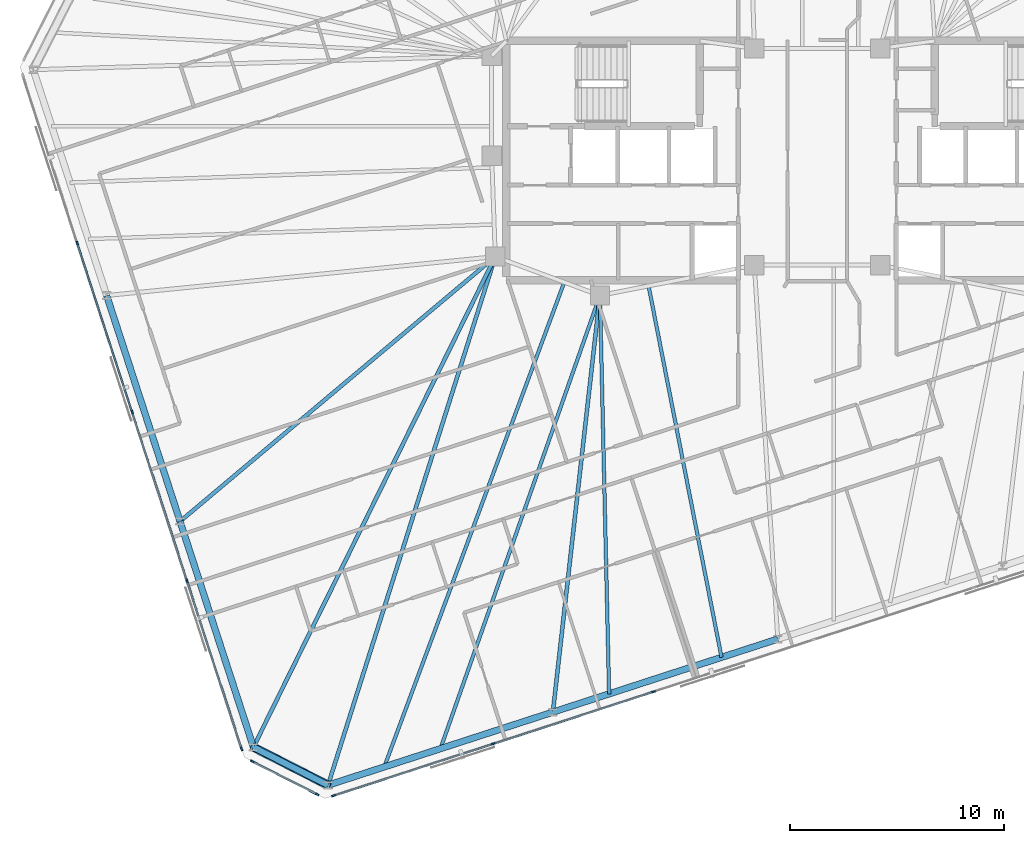
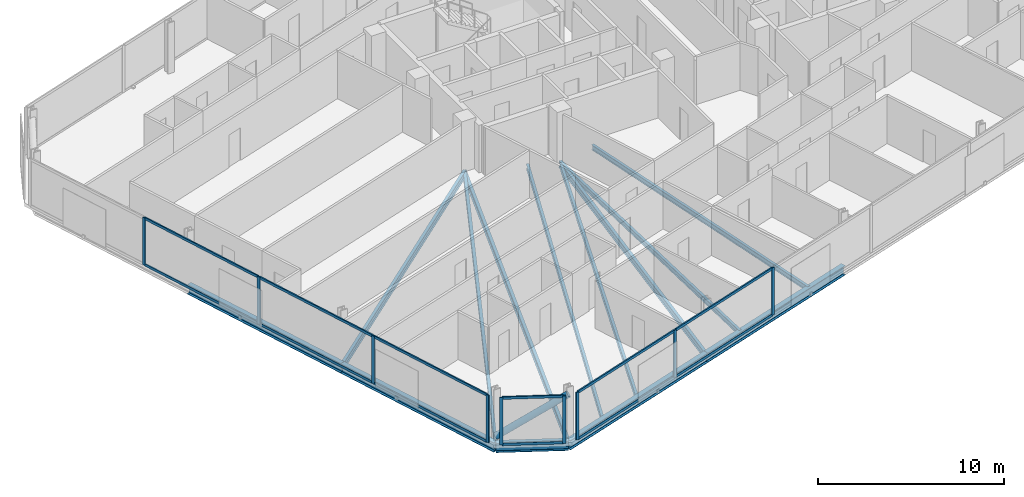
# One storey, part 5 of 20: 22 members, 13 beams, 3 elements without a shape of their own.
"""IFC4 building model written with IfcOpenShell, lengths in metres."""

from ifc_helpers import new_model, si_unit, direction, frame, origin, origin_2d, place, context, subcontext, project, spatial, rectangle, hollow_circle, i_section, extrude, material, material_profile, profile_set, type_object, element, aggregate, save


model = new_model("IFC4")

# Units and contexts
model_context = context("Model", 3, precision=1e-05, world=origin(), true_north=direction((0.0, 1.0)))
body_context = subcontext(model_context, "Body", "Model", "MODEL_VIEW")
ifc_project = project(units=[si_unit("LENGTHUNIT", "METRE"), si_unit("AREAUNIT", "SQUARE_METRE"), si_unit("VOLUMEUNIT", "CUBIC_METRE"), si_unit("PLANEANGLEUNIT", "RADIAN"), si_unit("MASSUNIT", "GRAM", prefix="KILO")], contexts=[model_context])

# Site, building, storey
site_placement = place(None, origin())
site = spatial("IfcSite", under=ifc_project, at=site_placement, CompositionType="ELEMENT")
building_placement = place(site_placement, origin())
building = spatial("IfcBuilding", under=site, at=building_placement, Name="Menara Jurai Vektor", CompositionType="ELEMENT")
storey_placement = place(building_placement, frame((0.0, 0.0, 227.64990234375)))
storey = spatial("IfcBuildingStorey", under=building, at=storey_placement, Name="L60", CompositionType="ELEMENT", Elevation=227.64990234375)

# Curtain wall, members
ifc_material_1 = material(Name="Anodised Pale Aluminium & Low-E Double Glazing", Category="aluminium")
curtain_wall_type = type_object("IfcCurtainWallType", Name="CW-BLK4", PredefinedType="NOTDEFINED", material=ifc_material_1)
curtain_wall_1_placement = place(storey_placement, origin())
curtain_wall_1 = element("IfcCurtainWall", 1, at=curtain_wall_1_placement, inside=storey, type_object=curtain_wall_type, Name="Unitised Curtain Wall L60 F01", PredefinedType="NOTDEFINED")
ifc_material_2 = material(Name="Anodised Pale Aluminium Mullion", Category="aluminium")
ifc_material_profile_1 = material_profile(ifc_material_2, rectangle(XDim=0.080078125, YDim=0.18994140625, at=origin_2d()), Name="ALU MUL 80x190")
ifc_profile_set_1 = profile_set([ifc_material_profile_1], Name="Anodised Pale Aluminium Mullion")
member_type_1 = type_object("IfcMemberType", Name="CW-BLK4-MUL", PredefinedType="MULLION", material=ifc_profile_set_1)
member_1_placement = place(storey_placement, frame((-22.649658203125, -29.743896484375, 0.0), z_axis=(0.0, 0.0, 1.0), x_axis=(-0.309017344167, 0.951056402641, 0.0)))
member_1 = element("IfcMember", 2, at=member_1_placement, type_object=member_type_1, Name="CW-04 mullion 1", PredefinedType="MULLION", context=body_context, shape_type="SweptSolid", body=[
    extrude(rectangle(XDim=0.080078125, YDim=0.18994140625, at=origin_2d()), origin(), (0.0, 0.0, 1.0), 3.125),
])
member_2_placement = place(storey_placement, frame((-15.1826171875, -27.317626953125, 0.0), z_axis=(0.0, 0.0, 1.0), x_axis=(-0.309017344167, 0.951056402641, 0.0)))
member_2 = element("IfcMember", 3, at=member_2_placement, type_object=member_type_1, Name="CW-04 mullion 2", PredefinedType="MULLION", context=body_context, shape_type="SweptSolid", body=[
    extrude(rectangle(XDim=0.080078125, YDim=0.18994140625, at=origin_2d()), origin(), (0.0, 0.0, 1.0), 3.125),
])
member_3_placement = place(storey_placement, frame((-7.677490234375, -24.879150390625, 0.0), z_axis=(0.0, 0.0, 1.0), x_axis=(-0.309017344167, 0.951056402641, 0.0)))
member_3 = element("IfcMember", 4, at=member_3_placement, type_object=member_type_1, Name="CW-04 mullion 3", PredefinedType="MULLION", context=body_context, shape_type="SweptSolid", body=[
    extrude(rectangle(XDim=0.080078125, YDim=0.18994140625, at=origin_2d()), origin(), (0.0, 0.0, 1.0), 3.125),
])

curtain_wall_2_placement = place(storey_placement, origin())
curtain_wall_2 = element("IfcCurtainWall", 5, at=curtain_wall_2_placement, inside=storey, type_object=curtain_wall_type, Name="Unitised Curtain Wall L60 F07", PredefinedType="NOTDEFINED")
member_4_placement = place(storey_placement, frame((-34.650634765625, -3.876220703125, 0.0), z_axis=(0.0, 0.0, 1.0), x_axis=(0.95105668295, 0.309016481464, 0.0)))
member_4 = element("IfcMember", 6, at=member_4_placement, type_object=member_type_1, Name="CW-04 mullion 2", PredefinedType="MULLION", context=body_context, shape_type="SweptSolid", body=[
    extrude(rectangle(XDim=0.080078125, YDim=0.18994140625, at=origin_2d()), origin(), (0.0, 0.0, 1.0), 3.125),
])
member_5_placement = place(storey_placement, frame((-32.082763671875, -11.779541015625, 0.0), z_axis=(0.0, 0.0, 1.0), x_axis=(0.95105668295, 0.309016481464, 0.0)))
member_5 = element("IfcMember", 7, at=member_5_placement, type_object=member_type_1, Name="CW-04 mullion 3", PredefinedType="MULLION", context=body_context, shape_type="SweptSolid", body=[
    extrude(rectangle(XDim=0.080078125, YDim=0.18994140625, at=origin_2d()), origin(), (0.0, 0.0, 1.0), 3.125),
])
member_6_placement = place(storey_placement, frame((-29.514892578125, -19.682861328125, 0.0), z_axis=(0.0, 0.0, 1.0), x_axis=(0.95105668295, 0.309016481464, 0.0)))
member_6 = element("IfcMember", 8, at=member_6_placement, type_object=member_type_1, Name="CW-04 mullion 4", PredefinedType="MULLION", context=body_context, shape_type="SweptSolid", body=[
    extrude(rectangle(XDim=0.080078125, YDim=0.18994140625, at=origin_2d()), origin(), (0.0, 0.0, 1.0), 3.125),
])
member_7_placement = place(storey_placement, frame((-26.959228515625, -27.548095703125, 0.0), z_axis=(0.0, 0.0, 1.0), x_axis=(0.95105668295, 0.309016481464, 0.0)))
member_7 = element("IfcMember", 9, at=member_7_placement, type_object=member_type_1, Name="CW-04 mullion 5", PredefinedType="MULLION", context=body_context, shape_type="SweptSolid", body=[
    extrude(rectangle(XDim=0.080078125, YDim=0.18994140625, at=origin_2d()), origin(), (0.0, 0.0, 1.0), 3.125),
])

curtain_wall_3_placement = place(storey_placement, origin())
curtain_wall_3 = element("IfcCurtainWall", 10, at=curtain_wall_3_placement, inside=storey, type_object=curtain_wall_type, Name="Unitised Curtain Wall L60 F08", PredefinedType="NOTDEFINED")
member_8_placement = place(storey_placement, frame((-26.455322265625, -28.13818359375, 0.0), z_axis=(0.0, 0.0, 1.0), x_axis=(0.453988579828, 0.89100750243, 0.0)))
member_8 = element("IfcMember", 11, at=member_8_placement, type_object=member_type_1, Name="CW-04 mullion 1", PredefinedType="MULLION", context=body_context, shape_type="SweptSolid", body=[
    extrude(rectangle(XDim=0.080078125, YDim=0.18994140625, at=origin_2d()), origin(), (0.0, 0.0, 1.0), 3.125),
])
member_9_placement = place(storey_placement, frame((-23.42333984375, -29.682861328125, 0.0), z_axis=(0.0, 0.0, 1.0), x_axis=(0.453988579828, 0.89100750243, 0.0)))
member_9 = element("IfcMember", 12, at=member_9_placement, type_object=member_type_1, Name="CW-04 mullion 2", PredefinedType="MULLION", context=body_context, shape_type="SweptSolid", body=[
    extrude(rectangle(XDim=0.080078125, YDim=0.18994140625, at=origin_2d()), origin(), (0.0, 0.0, 1.0), 3.125),
])

# Member
ifc_material_3 = material(Name="Anodised Pale Aluminium Transom", Category="aluminium")
ifc_material_profile_2 = material_profile(ifc_material_3, rectangle(XDim=0.080078125, YDim=0.1650390625, at=origin_2d()), Name="ALU TRN 80x165")
ifc_profile_set_2 = profile_set([ifc_material_profile_2], Name="Anodised Pale Aluminium Transom")
member_type_2 = type_object("IfcMemberType", Name="CW-BLK4-TRN", PredefinedType="USERDEFINED", material=ifc_profile_set_2)
member_10_placement = place(storey_placement, frame((-22.61181640625, -29.7314453125, 0.0400390625), z_axis=(0.951062230089, 0.308999408573, 0.0), x_axis=(-0.308999408573, 0.951062230089, 0.0)))
member_10 = element("IfcMember", 13, at=member_10_placement, type_object=member_type_2, Name="CW-04 transom 1.1", ObjectType="TRANSOM", PredefinedType="USERDEFINED", context=body_context, shape_type="SweptSolid", body=[
    extrude(rectangle(XDim=0.080078125, YDim=0.1650390625, at=origin_2d()), origin(), (0.0, 0.0, 1.0), 7.771484375),
])

member_11_placement = place(storey_placement, frame((-22.61181640625, -29.7314453125, 3.085205078125), z_axis=(0.951062230089, 0.308999408573, 0.0), x_axis=(-0.308999408573, 0.951062230089, 0.0)))
member_11 = element("IfcMember", 14, at=member_11_placement, type_object=member_type_2, Name="CW-04 transom 1.2", ObjectType="TRANSOM", PredefinedType="USERDEFINED", context=body_context, shape_type="SweptSolid", body=[
    extrude(rectangle(XDim=0.080078125, YDim=0.1650390625, at=origin_2d()), origin(), (0.0, 0.0, 1.0), 7.771484375),
])

member_12_placement = place(storey_placement, frame((-15.14453125, -27.30517578125, 0.0400390625), z_axis=(0.95105634578, 0.309017519167, 0.0), x_axis=(-0.309017519167, 0.95105634578, 0.0)))
member_12 = element("IfcMember", 15, at=member_12_placement, type_object=member_type_2, Name="CW-04 transom 2.1", ObjectType="TRANSOM", PredefinedType="USERDEFINED", context=body_context, shape_type="SweptSolid", body=[
    extrude(rectangle(XDim=0.080078125, YDim=0.1650390625, at=origin_2d()), origin(), (0.0, 0.0, 1.0), 7.811279296875),
])

member_13_placement = place(storey_placement, frame((-15.14453125, -27.30517578125, 3.085205078125), z_axis=(0.95105634578, 0.309017519167, 0.0), x_axis=(-0.309017519167, 0.95105634578, 0.0)))
member_13 = element("IfcMember", 16, at=member_13_placement, type_object=member_type_2, Name="CW-04 transom 2.2", ObjectType="TRANSOM", PredefinedType="USERDEFINED", context=body_context, shape_type="SweptSolid", body=[
    extrude(rectangle(XDim=0.080078125, YDim=0.1650390625, at=origin_2d()), origin(), (0.0, 0.0, 1.0), 7.811279296875),
])

aggregate(curtain_wall_1, [member_1, member_2, member_3, member_10, member_11, member_12, member_13])

member_14_placement = place(storey_placement, frame((-34.638427734375, -3.914306640625, 0.0400390625), z_axis=(0.309018994408, -0.951055866443, 0.0), x_axis=(0.951055866443, 0.309018994408, 0.0)))
member_14 = element("IfcMember", 17, at=member_14_placement, type_object=member_type_2, Name="CW-04 transom 2.1", ObjectType="TRANSOM", PredefinedType="USERDEFINED", context=body_context, shape_type="SweptSolid", body=[
    extrude(rectangle(XDim=0.080078125, YDim=0.1650390625, at=origin_2d()), origin(), (0.0, 0.0, 1.0), 8.22998046875),
])

member_15_placement = place(storey_placement, frame((-34.638427734375, -3.914306640625, 3.085205078125), z_axis=(0.309018994408, -0.951055866443, 0.0), x_axis=(0.951055866443, 0.309018994408, 0.0)))
member_15 = element("IfcMember", 18, at=member_15_placement, type_object=member_type_2, Name="CW-04 transom 2.2", ObjectType="TRANSOM", PredefinedType="USERDEFINED", context=body_context, shape_type="SweptSolid", body=[
    extrude(rectangle(XDim=0.080078125, YDim=0.1650390625, at=origin_2d()), origin(), (0.0, 0.0, 1.0), 8.22998046875),
])

member_16_placement = place(storey_placement, frame((-32.0703125, -11.817626953125, 0.0400390625), z_axis=(0.309018994408, -0.951055866443, 0.0), x_axis=(0.951055866443, 0.309018994408, 0.0)))
member_16 = element("IfcMember", 19, at=member_16_placement, type_object=member_type_2, Name="CW-04 transom 3.1", ObjectType="TRANSOM", PredefinedType="USERDEFINED", context=body_context, shape_type="SweptSolid", body=[
    extrude(rectangle(XDim=0.080078125, YDim=0.1650390625, at=origin_2d()), origin(), (0.0, 0.0, 1.0), 8.22998046875),
])

member_17_placement = place(storey_placement, frame((-32.0703125, -11.817626953125, 3.085205078125), z_axis=(0.309018994408, -0.951055866443, 0.0), x_axis=(0.951055866443, 0.309018994408, 0.0)))
member_17 = element("IfcMember", 20, at=member_17_placement, type_object=member_type_2, Name="CW-04 transom 3.2", ObjectType="TRANSOM", PredefinedType="USERDEFINED", context=body_context, shape_type="SweptSolid", body=[
    extrude(rectangle(XDim=0.080078125, YDim=0.1650390625, at=origin_2d()), origin(), (0.0, 0.0, 1.0), 8.22998046875),
])

member_18_placement = place(storey_placement, frame((-29.50244140625, -19.720947265625, 0.0400390625), z_axis=(0.309010577384, -0.951058601278, 0.0), x_axis=(0.951058601278, 0.309010577384, 0.0)))
member_18 = element("IfcMember", 21, at=member_18_placement, type_object=member_type_2, Name="CW-04 transom 4.1", ObjectType="TRANSOM", PredefinedType="USERDEFINED", context=body_context, shape_type="SweptSolid", body=[
    extrude(rectangle(XDim=0.080078125, YDim=0.1650390625, at=origin_2d()), origin(), (0.0, 0.0, 1.0), 8.18994140625),
])

member_19_placement = place(storey_placement, frame((-29.50244140625, -19.720947265625, 3.085205078125), z_axis=(0.309010577384, -0.951058601278, 0.0), x_axis=(0.951058601278, 0.309010577384, 0.0)))
member_19 = element("IfcMember", 22, at=member_19_placement, type_object=member_type_2, Name="CW-04 transom 4.2", ObjectType="TRANSOM", PredefinedType="USERDEFINED", context=body_context, shape_type="SweptSolid", body=[
    extrude(rectangle(XDim=0.080078125, YDim=0.1650390625, at=origin_2d()), origin(), (0.0, 0.0, 1.0), 8.18994140625),
])

aggregate(curtain_wall_2, [member_4, member_5, member_6, member_7, member_14, member_15, member_16, member_17, member_18, member_19])

member_20_placement = place(storey_placement, frame((-26.419677734375, -28.15625, 0.0400390625), z_axis=(0.89100697374, -0.453989617444, 0.0), x_axis=(0.453989617444, 0.89100697374, 0.0)))
member_20 = element("IfcMember", 23, at=member_20_placement, type_object=member_type_2, Name="CW-04 transom 1.1", ObjectType="TRANSOM", PredefinedType="USERDEFINED", context=body_context, shape_type="SweptSolid", body=[
    extrude(rectangle(XDim=0.080078125, YDim=0.1650390625, at=origin_2d()), origin(), (0.0, 0.0, 1.0), 3.32275390625),
])

member_21_placement = place(storey_placement, frame((-26.419677734375, -28.15625, 3.085205078125), z_axis=(0.89100697374, -0.453989617444, 0.0), x_axis=(0.453989617444, 0.89100697374, 0.0)))
member_21 = element("IfcMember", 24, at=member_21_placement, type_object=member_type_2, Name="CW-04 transom 1.2", ObjectType="TRANSOM", PredefinedType="USERDEFINED", context=body_context, shape_type="SweptSolid", body=[
    extrude(rectangle(XDim=0.080078125, YDim=0.1650390625, at=origin_2d()), origin(), (0.0, 0.0, 1.0), 3.32275390625),
])

aggregate(curtain_wall_3, [member_8, member_9, member_20, member_21])

# Beams
ifc_material_4 = material(Name="Steel S355", Category="steel")
ifc_material_profile_3 = material_profile(ifc_material_4, i_section(OverallWidth=0.18505859375, OverallDepth=0.429931640625, WebThickness=0.010986328125, FlangeThickness=0.01806640625, at=origin_2d()), Name="PG 430x185x76")
ifc_profile_set_3 = profile_set([ifc_material_profile_3], Name="Steel S355")
beam_type_1 = type_object("IfcBeamType", Name="STR-BM-430", PredefinedType="BEAM", material=ifc_profile_set_3)
beam_1_placement = place(storey_placement, frame((-22.912841796875, -29.2509765625, -0.43994140625), z_axis=(0.301715059084, 0.953398145122, 0.0), x_axis=(-0.953398145122, 0.301715059084, 0.0)))
element("IfcBeam", 25, at=beam_1_placement, inside=storey, type_object=beam_type_1, Name="Radial Floor Girder L60-S1", PredefinedType="BEAM", context=body_context, shape_type="SweptSolid", body=[
    extrude(i_section(OverallWidth=0.18505859375, OverallDepth=0.429931640625, WebThickness=0.010986328125, FlangeThickness=0.01806640625, at=origin_2d()), origin(), (0.0, 0.0, 1.0), 25.960693359375),
])
beam_2_placement = place(storey_placement, frame((-12.383544921875, -25.829833984375, -0.43994140625), z_axis=(0.112235588534, 0.993681625404, 0.0), x_axis=(-0.993681625404, 0.112235588534, 0.0)))
element("IfcBeam", 26, at=beam_2_placement, inside=storey, type_object=beam_type_1, Name="Radial Floor Girder L60-S2", PredefinedType="BEAM", context=body_context, shape_type="SweptSolid", body=[
    extrude(i_section(OverallWidth=0.18505859375, OverallDepth=0.429931640625, WebThickness=0.010986328125, FlangeThickness=0.01806640625, at=origin_2d()), origin(), (0.0, 0.0, 1.0), 19.6337890625),
])
beam_3_placement = place(storey_placement, frame((-29.841796875, -16.896728515625, -0.43994140625), z_axis=(0.765784449649, 0.64309733064, 0.0), x_axis=(-0.64309733064, 0.765784449649, 0.0)))
element("IfcBeam", 27, at=beam_3_placement, inside=storey, type_object=beam_type_1, Name="Radial Floor Girder L60-W3", PredefinedType="BEAM", context=body_context, shape_type="SweptSolid", body=[
    extrude(i_section(OverallWidth=0.18505859375, OverallDepth=0.429931640625, WebThickness=0.010986328125, FlangeThickness=0.01806640625, at=origin_2d()), origin(), (0.0, 0.0, 1.0), 19.276611328125),
])
beam_4_placement = place(storey_placement, frame((-26.406005859375, -27.47119140625, -0.43994140625), z_axis=(0.442219272094, 0.896906971424, 0.0), x_axis=(-0.896906971424, 0.442219272094, 0.0)))
element("IfcBeam", 28, at=beam_4_placement, inside=storey, type_object=beam_type_1, Name="Radial Floor Girder L60-W4", PredefinedType="BEAM", context=body_context, shape_type="SweptSolid", body=[
    extrude(i_section(OverallWidth=0.18505859375, OverallDepth=0.429931640625, WebThickness=0.010986328125, FlangeThickness=0.01806640625, at=origin_2d()), origin(), (0.0, 0.0, 1.0), 25.611572265625),
])

# Member
ifc_material_5 = material(Name="Steel S460", Category="steel")
ifc_material_profile_4 = material_profile(ifc_material_5, hollow_circle(Radius=0.203125, WallThickness=0.01611328125, at=origin_2d()), Name="CHS 406.4x16")
ifc_profile_set_4 = profile_set([ifc_material_profile_4], Name="Steel S460")
member_type_3 = type_object("IfcMemberType", Name="STR-BR-406", PredefinedType="BRACE", material=ifc_profile_set_4)
member_22_placement = place(storey_placement, frame((-26.406005859375, -27.47119140625, 0.150146484375), z_axis=(0.740375367811, -0.377225079071, 0.556368182465), x_axis=(0.453976155955, 0.891013832566, 0.0)))
element("IfcMember", 29, at=member_22_placement, inside=storey, type_object=member_type_3, Name="Exoskeleton Corner Brace L60-4", PredefinedType="BRACE", context=body_context, shape_type="SweptSolid", body=[
    extrude(hollow_circle(Radius=0.203125, WallThickness=0.01611328125, at=origin_2d()), origin(), (0.0, 0.0, 1.0), 4.718017578125),
])

# Beams
ifc_material_profile_5 = material_profile(ifc_material_4, i_section(OverallWidth=0.1650390625, OverallDepth=0.330078125, WebThickness=0.009033203125, FlangeThickness=0.013916015625, at=origin_2d()), Name="PG 330x165x46")
ifc_profile_set_5 = profile_set([ifc_material_profile_5], Name="Steel S355")
beam_type_2 = type_object("IfcBeamType", Name="STR-JS-330", PredefinedType="JOIST", material=ifc_profile_set_5)
beam_5_placement = place(storey_placement, frame((-20.280517578125, -28.395751953125, -0.389892578125), z_axis=(0.348182225555, 0.937426870645, 0.0), x_axis=(-0.937426870645, 0.348182225555, 0.0)))
element("IfcBeam", 30, at=beam_5_placement, inside=storey, type_object=beam_type_2, Name="Radial Secondary Floor Joist L60-JS01", PredefinedType="JOIST", context=body_context, shape_type="SweptSolid", body=[
    extrude(i_section(OverallWidth=0.1650390625, OverallDepth=0.330078125, WebThickness=0.009033203125, FlangeThickness=0.013916015625, at=origin_2d()), origin(), (0.0, 0.0, 1.0), 24.211181640625),
])
beam_6_placement = place(storey_placement, frame((-17.648193359375, -27.540283203125, -0.389892578125), z_axis=(0.331980963321, 0.943286085974, 0.0), x_axis=(-0.943286085974, 0.331980963321, 0.0)))
element("IfcBeam", 31, at=beam_6_placement, inside=storey, type_object=beam_type_2, Name="Radial Secondary Floor Joist L60-JS02", PredefinedType="JOIST", context=body_context, shape_type="SweptSolid", body=[
    extrude(i_section(OverallWidth=0.1650390625, OverallDepth=0.330078125, WebThickness=0.009033203125, FlangeThickness=0.013916015625, at=origin_2d()), origin(), (0.0, 0.0, 1.0), 22.49609375),
])
beam_7_placement = place(storey_placement, frame((-9.751220703125, -24.974609375, -0.389892578125), z_axis=(-0.022975519442, 0.999736027913, 0.0), x_axis=(-0.999736027913, -0.022975519442, 0.0)))
element("IfcBeam", 32, at=beam_7_placement, inside=storey, type_object=beam_type_2, Name="Radial Secondary Floor Joist L60-JS03", PredefinedType="JOIST", context=body_context, shape_type="SweptSolid", body=[
    extrude(i_section(OverallWidth=0.1650390625, OverallDepth=0.330078125, WebThickness=0.009033203125, FlangeThickness=0.013916015625, at=origin_2d()), origin(), (0.0, 0.0, 1.0), 18.659423828125),
])
beam_8_placement = place(storey_placement, frame((-4.486572265625, -23.263916015625, -0.389892578125), z_axis=(-0.192724225092, 0.981252960792, 0.0), x_axis=(-0.981252960792, -0.192724225092, 0.0)))
element("IfcBeam", 33, at=beam_8_placement, inside=storey, type_object=beam_type_2, Name="Radial Secondary Floor Joist L60-JS04", PredefinedType="JOIST", context=body_context, shape_type="SweptSolid", body=[
    extrude(i_section(OverallWidth=0.1650390625, OverallDepth=0.330078125, WebThickness=0.009033203125, FlangeThickness=0.013916015625, at=origin_2d()), origin(), (0.0, 0.0, 1.0), 17.7236328125),
])
ifc_material_profile_6 = material_profile(ifc_material_4, i_section(OverallWidth=0.306884765625, OverallDepth=0.6201171875, WebThickness=0.013916015625, FlangeThickness=0.02392578125, FilletRadius=0.01708984375, at=origin_2d()), Name="UKB 610x305x179")
ifc_profile_set_6 = profile_set([ifc_material_profile_6], Name="Steel S355")
beam_type_3 = type_object("IfcBeamType", Name="STR-SP-610", PredefinedType="SPANDREL", material=ifc_profile_set_6)
for number, where, z_axis, x_axis, name in (
    (34, (-22.912841796875, -29.2509765625, -0.534912109375), (0.951057401967, 0.309014268544, 0.0), (-0.309014268544, 0.951057401967, 0.0), "Exoskeleton Spandrel Beam L60-01"),
    (35, (-12.383544921875, -25.829833984375, -0.534912109375), (0.951057401967, 0.309014268544, 0.0), (-0.309014268544, 0.951057401967, 0.0), "Exoskeleton Spandrel Beam L60-02"),
):
    element("IfcBeam", number, at=place(storey_placement, frame(where, z_axis=z_axis, x_axis=x_axis)), inside=storey, type_object=beam_type_3, Name=name, PredefinedType="SPANDREL", context=body_context, shape_type="SweptSolid", body=[
        extrude(i_section(OverallWidth=0.306884765625, OverallDepth=0.6201171875, WebThickness=0.013916015625, FlangeThickness=0.02392578125, FilletRadius=0.01708984375, at=origin_2d()), origin(), (0.0, 0.0, 1.0), 11.071044921875),
    ])
beam_9_placement = place(storey_placement, frame((-33.277587890625, -6.322509765625, -0.534912109375), z_axis=(0.309018545885, -0.951056012178, 0.0), x_axis=(0.951056012178, 0.309018545885, 0.0)))
element("IfcBeam", 36, at=beam_9_placement, inside=storey, type_object=beam_type_3, Name="Exoskeleton Spandrel Beam L60-18", PredefinedType="SPANDREL", context=body_context, shape_type="SweptSolid", body=[
    extrude(i_section(OverallWidth=0.306884765625, OverallDepth=0.6201171875, WebThickness=0.013916015625, FlangeThickness=0.02392578125, FilletRadius=0.01708984375, at=origin_2d()), origin(), (0.0, 0.0, 1.0), 11.118408203125),
])
beam_10_placement = place(storey_placement, frame((-29.841796875, -16.896728515625, -0.534912109375), z_axis=(0.309012092614, -0.95105810896, 0.0), x_axis=(0.95105810896, 0.309012092614, 0.0)))
element("IfcBeam", 37, at=beam_10_placement, inside=storey, type_object=beam_type_3, Name="Exoskeleton Spandrel Beam L60-19", PredefinedType="SPANDREL", context=body_context, shape_type="SweptSolid", body=[
    extrude(i_section(OverallWidth=0.306884765625, OverallDepth=0.6201171875, WebThickness=0.013916015625, FlangeThickness=0.02392578125, FilletRadius=0.01708984375, at=origin_2d()), origin(), (0.0, 0.0, 1.0), 11.11865234375),
])
beam_11_placement = place(storey_placement, frame((-26.406005859375, -27.47119140625, -0.534912109375), z_axis=(0.891013832566, -0.453976155955, 0.0), x_axis=(0.453976155955, 0.891013832566, 0.0)))
element("IfcBeam", 38, at=beam_11_placement, inside=storey, type_object=beam_type_3, Name="Exoskeleton Spandrel Beam L60-20", PredefinedType="SPANDREL", context=body_context, shape_type="SweptSolid", body=[
    extrude(i_section(OverallWidth=0.306884765625, OverallDepth=0.6201171875, WebThickness=0.013916015625, FlangeThickness=0.02392578125, FilletRadius=0.01708984375, at=origin_2d()), origin(), (0.0, 0.0, 1.0), 3.92041015625),
])

save(model, "model.ifc")
